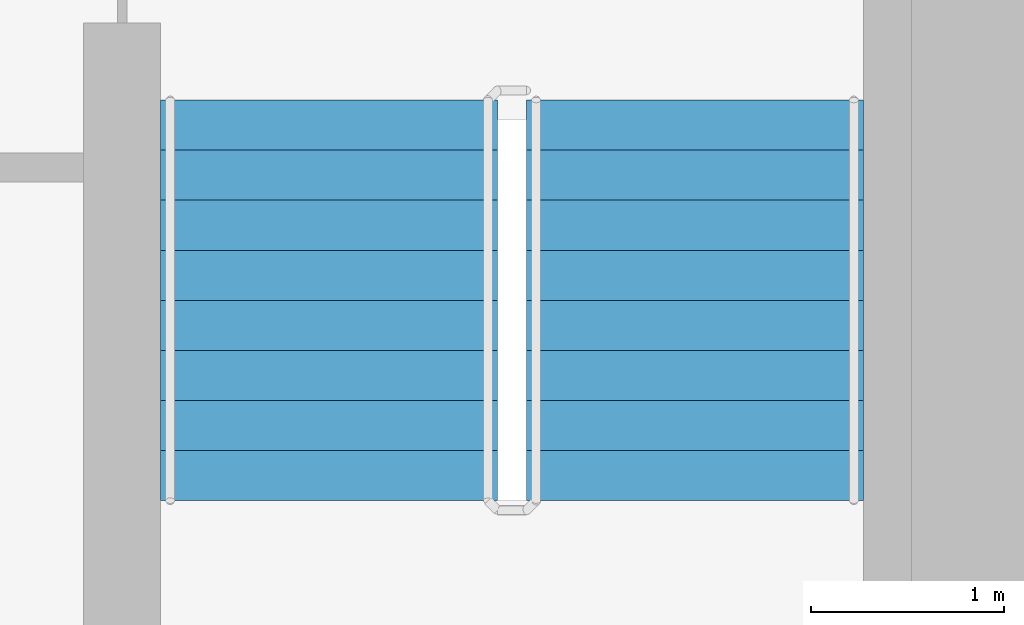
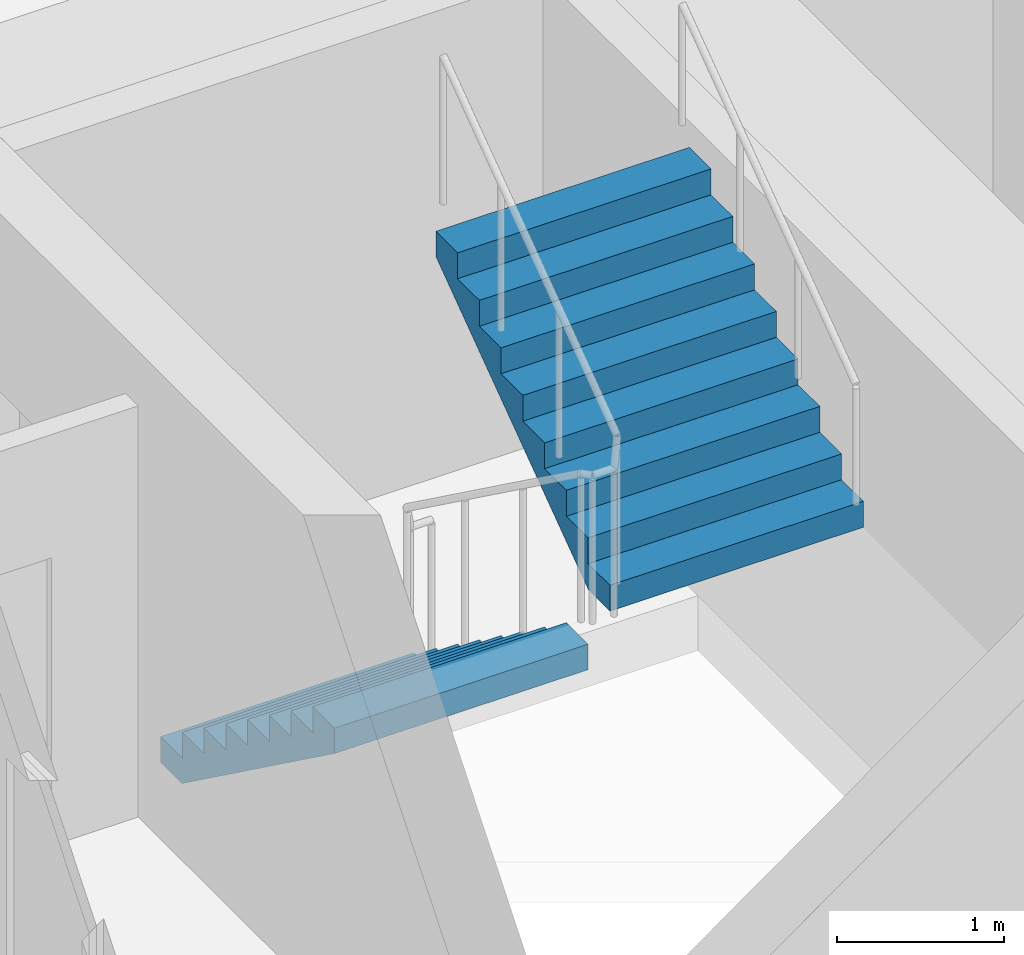
# One storey, part 18 of 21: 2 stair flights, 1 element without a shape of its own.
"""IFC4 building model written with IfcOpenShell, lengths in metres."""

from ifc_helpers import new_model, si_unit, direction, frame, origin, place, context, subcontext, project, spatial, faceted_brep, material, type_object, element, aggregate, save


model = new_model("IFC4")

# Units and contexts
model_context = context("Model", 3, precision=1e-05, world=origin(), true_north=direction((0.0, 1.0)))
body_context = subcontext(model_context, "Body", "Model", "MODEL_VIEW")
ifc_project = project(units=[si_unit("LENGTHUNIT", "METRE"), si_unit("AREAUNIT", "SQUARE_METRE"), si_unit("VOLUMEUNIT", "CUBIC_METRE"), si_unit("PLANEANGLEUNIT", "RADIAN"), si_unit("MASSUNIT", "GRAM", prefix="KILO")], contexts=[model_context])

# Site, building, storey
site_placement = place(None, origin())
site = spatial("IfcSite", under=ifc_project, at=site_placement, CompositionType="ELEMENT")
building_placement = place(site_placement, origin())
building = spatial("IfcBuilding", under=site, at=building_placement, Name="Ipe Terrace Towers", CompositionType="ELEMENT")
storey_placement = place(building_placement, frame((0.0, 0.0, 97.0)))
storey = spatial("IfcBuildingStorey", under=building, at=storey_placement, Name="L26", CompositionType="ELEMENT", Elevation=97.0)

# Stair, stair flights
ifc_material_1 = material(Name="Concrete C30/37", Category="concrete")
stair_type = type_object("IfcStairType", Name="Protected exit stair", PredefinedType="HALF_TURN_STAIR", material=ifc_material_1)
stair_placement = place(storey_placement, origin())
stair = element("IfcStair", 1, at=stair_placement, inside=storey, type_object=stair_type, Name="L26 Exit stair T2-C2", PredefinedType="HALF_TURN_STAIR")
ifc_material_2 = material(Name="Concrete C30/37", Category="concrete")
stair_flight_type = type_object("IfcStairFlightType", Name="Exit stair flight 1750", PredefinedType="STRAIGHT", material=ifc_material_2)
stair_flight_1_placement = place(storey_placement, frame((38.77490234375, -9.699951171875, 0.0), z_axis=(0.0, 0.0, 1.0), x_axis=(0.0, -1.0, 0.0)))
stair_flight_1 = element("IfcStairFlight", 2, at=stair_flight_1_placement, type_object=stair_flight_type, Name="T2-ST2 flight 1", NumberOfRisers=9, NumberOfTreads=8, PredefinedType="STRAIGHT", RiserHeight=0.188888889, TreadLength=0.26, context=body_context, shape_type="Brep", body=[
    faceted_brep([(0.255126953125, -0.875, 0.0), (2.080078125, -0.875, 1.325927734375), (2.080078125, -0.875, 1.51123046875), (1.820068359375, -0.875, 1.51123046875), (1.820068359375, -0.875, 1.322265625), (1.56005859375, -0.875, 1.322265625), (1.56005859375, -0.875, 1.13330078125), (1.300048828125, -0.875, 1.13330078125), (1.300048828125, -0.875, 0.9443359375), (1.0400390625, -0.875, 0.9443359375), (1.0400390625, -0.875, 0.755615234375), (0.780029296875, -0.875, 0.755615234375), (0.780029296875, -0.875, 0.566650390625), (0.52001953125, -0.875, 0.566650390625), (0.52001953125, -0.875, 0.377685546875), (0.260009765625, -0.875, 0.377685546875), (0.260009765625, -0.875, 0.18896484375), (0.0, -0.875, 0.18896484375), (0.0, -0.875, 0.0), (0.0, 0.875, 0.0), (0.0, 0.875, 0.18896484375), (0.260009765625, 0.875, 0.18896484375), (0.260009765625, 0.875, 0.377685546875), (0.52001953125, 0.875, 0.377685546875), (0.52001953125, 0.875, 0.566650390625), (0.780029296875, 0.875, 0.566650390625), (0.780029296875, 0.875, 0.755615234375), (1.0400390625, 0.875, 0.755615234375), (1.0400390625, 0.875, 0.9443359375), (1.300048828125, 0.875, 0.9443359375), (1.300048828125, 0.875, 1.13330078125), (1.56005859375, 0.875, 1.13330078125), (1.56005859375, 0.875, 1.322265625), (1.820068359375, 0.875, 1.322265625), (1.820068359375, 0.875, 1.51123046875), (2.080078125, 0.875, 1.51123046875), (2.080078125, 0.875, 1.325927734375), (0.255126953125, 0.875, 0.0), (0.0, -0.300048828125, 0.18896484375), (0.0, -0.1201171875, 0.18896484375), (0.0, -0.06005859375, 0.18896484375), (0.0, -0.030029296875, 0.18896484375), (0.0, -0.010009765625, 0.18896484375), (0.0, 0.0, 0.18896484375), (0.0, 0.010009765625, 0.18896484375), (0.0, 0.030029296875, 0.18896484375), (0.0, 0.06005859375, 0.18896484375), (0.0, 0.1201171875, 0.18896484375), (0.0, 0.300048828125, 0.18896484375), (0.0, 0.300048828125, 0.0), (0.0, 0.1201171875, 0.0), (0.0, 0.06005859375, 0.0), (0.0, 0.030029296875, 0.0), (0.0, 0.010009765625, 0.0), (0.0, 0.0, 0.0), (0.0, -0.010009765625, 0.0), (0.0, -0.030029296875, 0.0), (0.0, -0.06005859375, 0.0), (0.0, -0.1201171875, 0.0), (0.0, -0.300048828125, 0.0), (0.260009765625, -0.300048828125, 0.18896484375), (0.260009765625, -0.1201171875, 0.18896484375), (0.260009765625, -0.06005859375, 0.18896484375), (0.260009765625, -0.030029296875, 0.18896484375), (0.260009765625, -0.010009765625, 0.18896484375), (0.260009765625, 0.0, 0.18896484375), (0.260009765625, 0.010009765625, 0.18896484375), (0.260009765625, 0.030029296875, 0.18896484375), (0.260009765625, 0.06005859375, 0.18896484375), (0.260009765625, 0.1201171875, 0.18896484375), (0.260009765625, 0.300048828125, 0.18896484375), (0.260009765625, -0.300048828125, 0.377685546875), (0.260009765625, -0.1201171875, 0.377685546875), (0.260009765625, -0.06005859375, 0.377685546875), (0.260009765625, -0.030029296875, 0.377685546875), (0.260009765625, -0.010009765625, 0.377685546875), (0.260009765625, 0.0, 0.377685546875), (0.260009765625, 0.010009765625, 0.377685546875), (0.260009765625, 0.030029296875, 0.377685546875), (0.260009765625, 0.06005859375, 0.377685546875), (0.260009765625, 0.1201171875, 0.377685546875), (0.260009765625, 0.300048828125, 0.377685546875), (0.52001953125, -0.300048828125, 0.377685546875), (0.52001953125, -0.1201171875, 0.377685546875), (0.52001953125, -0.06005859375, 0.377685546875), (0.52001953125, -0.030029296875, 0.377685546875), (0.52001953125, -0.010009765625, 0.377685546875), (0.52001953125, 0.0, 0.377685546875), (0.52001953125, 0.010009765625, 0.377685546875), (0.52001953125, 0.030029296875, 0.377685546875), (0.52001953125, 0.06005859375, 0.377685546875), (0.52001953125, 0.1201171875, 0.377685546875), (0.52001953125, 0.300048828125, 0.377685546875), (0.52001953125, -0.300048828125, 0.566650390625), (0.52001953125, -0.1201171875, 0.566650390625), (0.52001953125, -0.06005859375, 0.566650390625), (0.52001953125, -0.030029296875, 0.566650390625), (0.52001953125, -0.010009765625, 0.566650390625), (0.52001953125, 0.0, 0.566650390625), (0.52001953125, 0.010009765625, 0.566650390625), (0.52001953125, 0.030029296875, 0.566650390625), (0.52001953125, 0.06005859375, 0.566650390625), (0.52001953125, 0.1201171875, 0.566650390625), (0.52001953125, 0.300048828125, 0.566650390625), (0.780029296875, -0.300048828125, 0.566650390625), (0.780029296875, -0.1201171875, 0.566650390625), (0.780029296875, -0.06005859375, 0.566650390625), (0.780029296875, -0.030029296875, 0.566650390625), (0.780029296875, -0.010009765625, 0.566650390625), (0.780029296875, 0.0, 0.566650390625), (0.780029296875, 0.010009765625, 0.566650390625), (0.780029296875, 0.030029296875, 0.566650390625), (0.780029296875, 0.06005859375, 0.566650390625), (0.780029296875, 0.1201171875, 0.566650390625), (0.780029296875, 0.300048828125, 0.566650390625), (0.780029296875, -0.300048828125, 0.755615234375), (0.780029296875, -0.1201171875, 0.755615234375), (0.780029296875, -0.06005859375, 0.755615234375), (0.780029296875, -0.030029296875, 0.755615234375), (0.780029296875, -0.010009765625, 0.755615234375), (0.780029296875, 0.0, 0.755615234375), (0.780029296875, 0.010009765625, 0.755615234375), (0.780029296875, 0.030029296875, 0.755615234375), (0.780029296875, 0.06005859375, 0.755615234375), (0.780029296875, 0.1201171875, 0.755615234375), (0.780029296875, 0.300048828125, 0.755615234375), (1.0400390625, -0.300048828125, 0.755615234375), (1.0400390625, -0.1201171875, 0.755615234375), (1.0400390625, -0.06005859375, 0.755615234375), (1.0400390625, -0.030029296875, 0.755615234375), (1.0400390625, -0.010009765625, 0.755615234375), (1.0400390625, 0.0, 0.755615234375), (1.0400390625, 0.010009765625, 0.755615234375), (1.0400390625, 0.030029296875, 0.755615234375), (1.0400390625, 0.06005859375, 0.755615234375), (1.0400390625, 0.1201171875, 0.755615234375), (1.0400390625, 0.300048828125, 0.755615234375), (1.0400390625, -0.300048828125, 0.9443359375), (1.0400390625, -0.1201171875, 0.9443359375), (1.0400390625, -0.06005859375, 0.9443359375), (1.0400390625, -0.030029296875, 0.9443359375), (1.0400390625, -0.010009765625, 0.9443359375), (1.0400390625, 0.0, 0.9443359375), (1.0400390625, 0.010009765625, 0.9443359375), (1.0400390625, 0.030029296875, 0.9443359375), (1.0400390625, 0.06005859375, 0.9443359375), (1.0400390625, 0.1201171875, 0.9443359375), (1.0400390625, 0.300048828125, 0.9443359375), (1.300048828125, -0.300048828125, 0.9443359375), (1.300048828125, -0.1201171875, 0.9443359375), (1.300048828125, -0.06005859375, 0.9443359375), (1.300048828125, -0.030029296875, 0.9443359375), (1.300048828125, -0.010009765625, 0.9443359375), (1.300048828125, 0.0, 0.9443359375), (1.300048828125, 0.010009765625, 0.9443359375), (1.300048828125, 0.030029296875, 0.9443359375), (1.300048828125, 0.06005859375, 0.9443359375), (1.300048828125, 0.1201171875, 0.9443359375), (1.300048828125, 0.300048828125, 0.9443359375), (1.300048828125, -0.300048828125, 1.13330078125), (1.300048828125, -0.1201171875, 1.13330078125), (1.300048828125, -0.06005859375, 1.13330078125), (1.300048828125, -0.030029296875, 1.13330078125), (1.300048828125, -0.010009765625, 1.13330078125), (1.300048828125, 0.0, 1.13330078125), (1.300048828125, 0.010009765625, 1.13330078125), (1.300048828125, 0.030029296875, 1.13330078125), (1.300048828125, 0.06005859375, 1.13330078125), (1.300048828125, 0.1201171875, 1.13330078125), (1.300048828125, 0.300048828125, 1.13330078125), (1.56005859375, -0.300048828125, 1.13330078125), (1.56005859375, -0.1201171875, 1.13330078125), (1.56005859375, -0.06005859375, 1.13330078125), (1.56005859375, -0.030029296875, 1.13330078125), (1.56005859375, -0.010009765625, 1.13330078125), (1.56005859375, 0.0, 1.13330078125), (1.56005859375, 0.010009765625, 1.13330078125), (1.56005859375, 0.030029296875, 1.13330078125), (1.56005859375, 0.06005859375, 1.13330078125), (1.56005859375, 0.1201171875, 1.13330078125), (1.56005859375, 0.300048828125, 1.13330078125), (1.56005859375, -0.300048828125, 1.322265625), (1.56005859375, -0.1201171875, 1.322265625), (1.56005859375, -0.06005859375, 1.322265625), (1.56005859375, -0.030029296875, 1.322265625), (1.56005859375, -0.010009765625, 1.322265625), (1.56005859375, 0.0, 1.322265625), (1.56005859375, 0.010009765625, 1.322265625), (1.56005859375, 0.030029296875, 1.322265625), (1.56005859375, 0.06005859375, 1.322265625), (1.56005859375, 0.1201171875, 1.322265625), (1.56005859375, 0.300048828125, 1.322265625), (1.820068359375, -0.300048828125, 1.322265625), (1.820068359375, -0.1201171875, 1.322265625), (1.820068359375, -0.06005859375, 1.322265625), (1.820068359375, -0.030029296875, 1.322265625), (1.820068359375, -0.010009765625, 1.322265625), (1.820068359375, 0.0, 1.322265625), (1.820068359375, 0.010009765625, 1.322265625), (1.820068359375, 0.030029296875, 1.322265625), (1.820068359375, 0.06005859375, 1.322265625), (1.820068359375, 0.1201171875, 1.322265625), (1.820068359375, 0.300048828125, 1.322265625), (1.820068359375, -0.300048828125, 1.51123046875), (1.820068359375, -0.1201171875, 1.51123046875), (1.820068359375, -0.06005859375, 1.51123046875), (1.820068359375, -0.030029296875, 1.51123046875), (1.820068359375, -0.010009765625, 1.51123046875), (1.820068359375, 0.0, 1.51123046875), (1.820068359375, 0.010009765625, 1.51123046875), (1.820068359375, 0.030029296875, 1.51123046875), (1.820068359375, 0.06005859375, 1.51123046875), (1.820068359375, 0.1201171875, 1.51123046875), (1.820068359375, 0.300048828125, 1.51123046875), (2.080078125, -0.300048828125, 1.51123046875), (2.080078125, -0.1201171875, 1.51123046875), (2.080078125, -0.06005859375, 1.51123046875), (2.080078125, -0.030029296875, 1.51123046875), (2.080078125, -0.010009765625, 1.51123046875), (2.080078125, 0.0, 1.51123046875), (2.080078125, 0.010009765625, 1.51123046875), (2.080078125, 0.030029296875, 1.51123046875), (2.080078125, 0.06005859375, 1.51123046875), (2.080078125, 0.1201171875, 1.51123046875), (2.080078125, 0.300048828125, 1.51123046875), (2.080078125, -0.300048828125, 1.325927734375), (2.080078125, -0.1201171875, 1.325927734375), (2.080078125, -0.06005859375, 1.325927734375), (2.080078125, -0.030029296875, 1.325927734375), (2.080078125, -0.010009765625, 1.325927734375), (2.080078125, 0.0, 1.325927734375), (2.080078125, 0.010009765625, 1.325927734375), (2.080078125, 0.030029296875, 1.325927734375), (2.080078125, 0.06005859375, 1.325927734375), (2.080078125, 0.1201171875, 1.325927734375), (2.080078125, 0.300048828125, 1.325927734375), (0.255126953125, -0.300048828125, 0.0), (0.255126953125, -0.1201171875, 0.0), (0.255126953125, -0.06005859375, 0.0), (0.255126953125, -0.030029296875, 0.0), (0.255126953125, -0.010009765625, 0.0), (0.255126953125, 0.0, 0.0), (0.255126953125, 0.010009765625, 0.0), (0.255126953125, 0.030029296875, 0.0), (0.255126953125, 0.06005859375, 0.0), (0.255126953125, 0.1201171875, 0.0), (0.255126953125, 0.300048828125, 0.0)], [[[0, 1, 2, 3, 4, 5, 6, 7, 8, 9, 10, 11, 12, 13, 14, 15, 16, 17, 18]], [[19, 20, 21, 22, 23, 24, 25, 26, 27, 28, 29, 30, 31, 32, 33, 34, 35, 36, 37]], [[17, 38, 39, 40, 41, 42, 43, 44, 45, 46, 47, 48, 20, 19, 49, 50, 51, 52, 53, 54, 55, 56, 57, 58, 59, 18]], [[16, 60, 61, 62, 63, 64, 65, 66, 67, 68, 69, 70, 21, 20, 48, 47, 46, 45, 44, 43, 42, 41, 40, 39, 38, 17]], [[15, 71, 72, 73, 74, 75, 76, 77, 78, 79, 80, 81, 22, 21, 70, 69, 68, 67, 66, 65, 64, 63, 62, 61, 60, 16]], [[14, 82, 83, 84, 85, 86, 87, 88, 89, 90, 91, 92, 23, 22, 81, 80, 79, 78, 77, 76, 75, 74, 73, 72, 71, 15]], [[13, 93, 94, 95, 96, 97, 98, 99, 100, 101, 102, 103, 24, 23, 92, 91, 90, 89, 88, 87, 86, 85, 84, 83, 82, 14]], [[12, 104, 105, 106, 107, 108, 109, 110, 111, 112, 113, 114, 25, 24, 103, 102, 101, 100, 99, 98, 97, 96, 95, 94, 93, 13]], [[11, 115, 116, 117, 118, 119, 120, 121, 122, 123, 124, 125, 26, 25, 114, 113, 112, 111, 110, 109, 108, 107, 106, 105, 104, 12]], [[10, 126, 127, 128, 129, 130, 131, 132, 133, 134, 135, 136, 27, 26, 125, 124, 123, 122, 121, 120, 119, 118, 117, 116, 115, 11]], [[9, 137, 138, 139, 140, 141, 142, 143, 144, 145, 146, 147, 28, 27, 136, 135, 134, 133, 132, 131, 130, 129, 128, 127, 126, 10]], [[8, 148, 149, 150, 151, 152, 153, 154, 155, 156, 157, 158, 29, 28, 147, 146, 145, 144, 143, 142, 141, 140, 139, 138, 137, 9]], [[7, 159, 160, 161, 162, 163, 164, 165, 166, 167, 168, 169, 30, 29, 158, 157, 156, 155, 154, 153, 152, 151, 150, 149, 148, 8]], [[6, 170, 171, 172, 173, 174, 175, 176, 177, 178, 179, 180, 31, 30, 169, 168, 167, 166, 165, 164, 163, 162, 161, 160, 159, 7]], [[5, 181, 182, 183, 184, 185, 186, 187, 188, 189, 190, 191, 32, 31, 180, 179, 178, 177, 176, 175, 174, 173, 172, 171, 170, 6]], [[4, 192, 193, 194, 195, 196, 197, 198, 199, 200, 201, 202, 33, 32, 191, 190, 189, 188, 187, 186, 185, 184, 183, 182, 181, 5]], [[3, 203, 204, 205, 206, 207, 208, 209, 210, 211, 212, 213, 34, 33, 202, 201, 200, 199, 198, 197, 196, 195, 194, 193, 192, 4]], [[2, 214, 215, 216, 217, 218, 219, 220, 221, 222, 223, 224, 35, 34, 213, 212, 211, 210, 209, 208, 207, 206, 205, 204, 203, 3]], [[1, 225, 226, 227, 228, 229, 230, 231, 232, 233, 234, 235, 36, 35, 224, 223, 222, 221, 220, 219, 218, 217, 216, 215, 214, 2]], [[0, 236, 237, 238, 239, 240, 241, 242, 243, 244, 245, 246, 37, 36, 235, 234, 233, 232, 231, 230, 229, 228, 227, 226, 225, 1]], [[18, 59, 58, 57, 56, 55, 54, 53, 52, 51, 50, 49, 19, 37, 246, 245, 244, 243, 242, 241, 240, 239, 238, 237, 236, 0]]]),
])
stair_flight_2_placement = place(storey_placement, frame((40.675048828125, -11.780029296875, 1.699951171875), z_axis=(0.0, 0.0, 1.0), x_axis=(0.0, 1.0, 0.0)))
stair_flight_2 = element("IfcStairFlight", 3, at=stair_flight_2_placement, type_object=stair_flight_type, Name="T2-ST2 flight 2", NumberOfRisers=9, NumberOfTreads=8, PredefinedType="STRAIGHT", RiserHeight=0.188888889, TreadLength=0.26, context=body_context, shape_type="Brep", body=[
    faceted_brep([(0.255126953125, -0.875, 0.0), (2.080078125, -0.875, 1.325927734375), (2.080078125, -0.875, 1.51123046875), (1.820068359375, -0.875, 1.51123046875), (1.820068359375, -0.875, 1.322265625), (1.56005859375, -0.875, 1.322265625), (1.56005859375, -0.875, 1.13330078125), (1.300048828125, -0.875, 1.13330078125), (1.300048828125, -0.875, 0.9443359375), (1.0400390625, -0.875, 0.9443359375), (1.0400390625, -0.875, 0.755615234375), (0.780029296875, -0.875, 0.755615234375), (0.780029296875, -0.875, 0.566650390625), (0.52001953125, -0.875, 0.566650390625), (0.52001953125, -0.875, 0.377685546875), (0.260009765625, -0.875, 0.377685546875), (0.260009765625, -0.875, 0.18896484375), (0.0, -0.875, 0.18896484375), (0.0, -0.875, 0.0), (0.0, 0.875, 0.0), (0.0, 0.875, 0.18896484375), (0.260009765625, 0.875, 0.18896484375), (0.260009765625, 0.875, 0.377685546875), (0.52001953125, 0.875, 0.377685546875), (0.52001953125, 0.875, 0.566650390625), (0.780029296875, 0.875, 0.566650390625), (0.780029296875, 0.875, 0.755615234375), (1.0400390625, 0.875, 0.755615234375), (1.0400390625, 0.875, 0.9443359375), (1.300048828125, 0.875, 0.9443359375), (1.300048828125, 0.875, 1.13330078125), (1.56005859375, 0.875, 1.13330078125), (1.56005859375, 0.875, 1.322265625), (1.820068359375, 0.875, 1.322265625), (1.820068359375, 0.875, 1.51123046875), (2.080078125, 0.875, 1.51123046875), (2.080078125, 0.875, 1.325927734375), (0.255126953125, 0.875, 0.0), (0.0, -0.300048828125, 0.18896484375), (0.0, -0.1201171875, 0.18896484375), (0.0, -0.06005859375, 0.18896484375), (0.0, -0.030029296875, 0.18896484375), (0.0, -0.010009765625, 0.18896484375), (0.0, 0.0, 0.18896484375), (0.0, 0.010009765625, 0.18896484375), (0.0, 0.030029296875, 0.18896484375), (0.0, 0.06005859375, 0.18896484375), (0.0, 0.1201171875, 0.18896484375), (0.0, 0.300048828125, 0.18896484375), (0.0, 0.300048828125, 0.0), (0.0, 0.1201171875, 0.0), (0.0, 0.06005859375, 0.0), (0.0, 0.030029296875, 0.0), (0.0, 0.010009765625, 0.0), (0.0, 0.0, 0.0), (0.0, -0.010009765625, 0.0), (0.0, -0.030029296875, 0.0), (0.0, -0.06005859375, 0.0), (0.0, -0.1201171875, 0.0), (0.0, -0.300048828125, 0.0), (0.260009765625, -0.300048828125, 0.18896484375), (0.260009765625, -0.1201171875, 0.18896484375), (0.260009765625, -0.06005859375, 0.18896484375), (0.260009765625, -0.030029296875, 0.18896484375), (0.260009765625, -0.010009765625, 0.18896484375), (0.260009765625, 0.0, 0.18896484375), (0.260009765625, 0.010009765625, 0.18896484375), (0.260009765625, 0.030029296875, 0.18896484375), (0.260009765625, 0.06005859375, 0.18896484375), (0.260009765625, 0.1201171875, 0.18896484375), (0.260009765625, 0.300048828125, 0.18896484375), (0.260009765625, -0.300048828125, 0.377685546875), (0.260009765625, -0.1201171875, 0.377685546875), (0.260009765625, -0.06005859375, 0.377685546875), (0.260009765625, -0.030029296875, 0.377685546875), (0.260009765625, -0.010009765625, 0.377685546875), (0.260009765625, 0.0, 0.377685546875), (0.260009765625, 0.010009765625, 0.377685546875), (0.260009765625, 0.030029296875, 0.377685546875), (0.260009765625, 0.06005859375, 0.377685546875), (0.260009765625, 0.1201171875, 0.377685546875), (0.260009765625, 0.300048828125, 0.377685546875), (0.52001953125, -0.300048828125, 0.377685546875), (0.52001953125, -0.1201171875, 0.377685546875), (0.52001953125, -0.06005859375, 0.377685546875), (0.52001953125, -0.030029296875, 0.377685546875), (0.52001953125, -0.010009765625, 0.377685546875), (0.52001953125, 0.0, 0.377685546875), (0.52001953125, 0.010009765625, 0.377685546875), (0.52001953125, 0.030029296875, 0.377685546875), (0.52001953125, 0.06005859375, 0.377685546875), (0.52001953125, 0.1201171875, 0.377685546875), (0.52001953125, 0.300048828125, 0.377685546875), (0.52001953125, -0.300048828125, 0.566650390625), (0.52001953125, -0.1201171875, 0.566650390625), (0.52001953125, -0.06005859375, 0.566650390625), (0.52001953125, -0.030029296875, 0.566650390625), (0.52001953125, -0.010009765625, 0.566650390625), (0.52001953125, 0.0, 0.566650390625), (0.52001953125, 0.010009765625, 0.566650390625), (0.52001953125, 0.030029296875, 0.566650390625), (0.52001953125, 0.06005859375, 0.566650390625), (0.52001953125, 0.1201171875, 0.566650390625), (0.52001953125, 0.300048828125, 0.566650390625), (0.780029296875, -0.300048828125, 0.566650390625), (0.780029296875, -0.1201171875, 0.566650390625), (0.780029296875, -0.06005859375, 0.566650390625), (0.780029296875, -0.030029296875, 0.566650390625), (0.780029296875, -0.010009765625, 0.566650390625), (0.780029296875, 0.0, 0.566650390625), (0.780029296875, 0.010009765625, 0.566650390625), (0.780029296875, 0.030029296875, 0.566650390625), (0.780029296875, 0.06005859375, 0.566650390625), (0.780029296875, 0.1201171875, 0.566650390625), (0.780029296875, 0.300048828125, 0.566650390625), (0.780029296875, -0.300048828125, 0.755615234375), (0.780029296875, -0.1201171875, 0.755615234375), (0.780029296875, -0.06005859375, 0.755615234375), (0.780029296875, -0.030029296875, 0.755615234375), (0.780029296875, -0.010009765625, 0.755615234375), (0.780029296875, 0.0, 0.755615234375), (0.780029296875, 0.010009765625, 0.755615234375), (0.780029296875, 0.030029296875, 0.755615234375), (0.780029296875, 0.06005859375, 0.755615234375), (0.780029296875, 0.1201171875, 0.755615234375), (0.780029296875, 0.300048828125, 0.755615234375), (1.0400390625, -0.300048828125, 0.755615234375), (1.0400390625, -0.1201171875, 0.755615234375), (1.0400390625, -0.06005859375, 0.755615234375), (1.0400390625, -0.030029296875, 0.755615234375), (1.0400390625, -0.010009765625, 0.755615234375), (1.0400390625, 0.0, 0.755615234375), (1.0400390625, 0.010009765625, 0.755615234375), (1.0400390625, 0.030029296875, 0.755615234375), (1.0400390625, 0.06005859375, 0.755615234375), (1.0400390625, 0.1201171875, 0.755615234375), (1.0400390625, 0.300048828125, 0.755615234375), (1.0400390625, -0.300048828125, 0.9443359375), (1.0400390625, -0.1201171875, 0.9443359375), (1.0400390625, -0.06005859375, 0.9443359375), (1.0400390625, -0.030029296875, 0.9443359375), (1.0400390625, -0.010009765625, 0.9443359375), (1.0400390625, 0.0, 0.9443359375), (1.0400390625, 0.010009765625, 0.9443359375), (1.0400390625, 0.030029296875, 0.9443359375), (1.0400390625, 0.06005859375, 0.9443359375), (1.0400390625, 0.1201171875, 0.9443359375), (1.0400390625, 0.300048828125, 0.9443359375), (1.300048828125, -0.300048828125, 0.9443359375), (1.300048828125, -0.1201171875, 0.9443359375), (1.300048828125, -0.06005859375, 0.9443359375), (1.300048828125, -0.030029296875, 0.9443359375), (1.300048828125, -0.010009765625, 0.9443359375), (1.300048828125, 0.0, 0.9443359375), (1.300048828125, 0.010009765625, 0.9443359375), (1.300048828125, 0.030029296875, 0.9443359375), (1.300048828125, 0.06005859375, 0.9443359375), (1.300048828125, 0.1201171875, 0.9443359375), (1.300048828125, 0.300048828125, 0.9443359375), (1.300048828125, -0.300048828125, 1.13330078125), (1.300048828125, -0.1201171875, 1.13330078125), (1.300048828125, -0.06005859375, 1.13330078125), (1.300048828125, -0.030029296875, 1.13330078125), (1.300048828125, -0.010009765625, 1.13330078125), (1.300048828125, 0.0, 1.13330078125), (1.300048828125, 0.010009765625, 1.13330078125), (1.300048828125, 0.030029296875, 1.13330078125), (1.300048828125, 0.06005859375, 1.13330078125), (1.300048828125, 0.1201171875, 1.13330078125), (1.300048828125, 0.300048828125, 1.13330078125), (1.56005859375, -0.300048828125, 1.13330078125), (1.56005859375, -0.1201171875, 1.13330078125), (1.56005859375, -0.06005859375, 1.13330078125), (1.56005859375, -0.030029296875, 1.13330078125), (1.56005859375, -0.010009765625, 1.13330078125), (1.56005859375, 0.0, 1.13330078125), (1.56005859375, 0.010009765625, 1.13330078125), (1.56005859375, 0.030029296875, 1.13330078125), (1.56005859375, 0.06005859375, 1.13330078125), (1.56005859375, 0.1201171875, 1.13330078125), (1.56005859375, 0.300048828125, 1.13330078125), (1.56005859375, -0.300048828125, 1.322265625), (1.56005859375, -0.1201171875, 1.322265625), (1.56005859375, -0.06005859375, 1.322265625), (1.56005859375, -0.030029296875, 1.322265625), (1.56005859375, -0.010009765625, 1.322265625), (1.56005859375, 0.0, 1.322265625), (1.56005859375, 0.010009765625, 1.322265625), (1.56005859375, 0.030029296875, 1.322265625), (1.56005859375, 0.06005859375, 1.322265625), (1.56005859375, 0.1201171875, 1.322265625), (1.56005859375, 0.300048828125, 1.322265625), (1.820068359375, -0.300048828125, 1.322265625), (1.820068359375, -0.1201171875, 1.322265625), (1.820068359375, -0.06005859375, 1.322265625), (1.820068359375, -0.030029296875, 1.322265625), (1.820068359375, -0.010009765625, 1.322265625), (1.820068359375, 0.0, 1.322265625), (1.820068359375, 0.010009765625, 1.322265625), (1.820068359375, 0.030029296875, 1.322265625), (1.820068359375, 0.06005859375, 1.322265625), (1.820068359375, 0.1201171875, 1.322265625), (1.820068359375, 0.300048828125, 1.322265625), (1.820068359375, -0.300048828125, 1.51123046875), (1.820068359375, -0.1201171875, 1.51123046875), (1.820068359375, -0.06005859375, 1.51123046875), (1.820068359375, -0.030029296875, 1.51123046875), (1.820068359375, -0.010009765625, 1.51123046875), (1.820068359375, 0.0, 1.51123046875), (1.820068359375, 0.010009765625, 1.51123046875), (1.820068359375, 0.030029296875, 1.51123046875), (1.820068359375, 0.06005859375, 1.51123046875), (1.820068359375, 0.1201171875, 1.51123046875), (1.820068359375, 0.300048828125, 1.51123046875), (2.080078125, -0.300048828125, 1.51123046875), (2.080078125, -0.1201171875, 1.51123046875), (2.080078125, -0.06005859375, 1.51123046875), (2.080078125, -0.030029296875, 1.51123046875), (2.080078125, -0.010009765625, 1.51123046875), (2.080078125, 0.0, 1.51123046875), (2.080078125, 0.010009765625, 1.51123046875), (2.080078125, 0.030029296875, 1.51123046875), (2.080078125, 0.06005859375, 1.51123046875), (2.080078125, 0.1201171875, 1.51123046875), (2.080078125, 0.300048828125, 1.51123046875), (2.080078125, -0.300048828125, 1.325927734375), (2.080078125, -0.1201171875, 1.325927734375), (2.080078125, -0.06005859375, 1.325927734375), (2.080078125, -0.030029296875, 1.325927734375), (2.080078125, -0.010009765625, 1.325927734375), (2.080078125, 0.0, 1.325927734375), (2.080078125, 0.010009765625, 1.325927734375), (2.080078125, 0.030029296875, 1.325927734375), (2.080078125, 0.06005859375, 1.325927734375), (2.080078125, 0.1201171875, 1.325927734375), (2.080078125, 0.300048828125, 1.325927734375), (0.255126953125, -0.300048828125, 0.0), (0.255126953125, -0.1201171875, 0.0), (0.255126953125, -0.06005859375, 0.0), (0.255126953125, -0.030029296875, 0.0), (0.255126953125, -0.010009765625, 0.0), (0.255126953125, 0.0, 0.0), (0.255126953125, 0.010009765625, 0.0), (0.255126953125, 0.030029296875, 0.0), (0.255126953125, 0.06005859375, 0.0), (0.255126953125, 0.1201171875, 0.0), (0.255126953125, 0.300048828125, 0.0)], [[[0, 1, 2, 3, 4, 5, 6, 7, 8, 9, 10, 11, 12, 13, 14, 15, 16, 17, 18]], [[19, 20, 21, 22, 23, 24, 25, 26, 27, 28, 29, 30, 31, 32, 33, 34, 35, 36, 37]], [[17, 38, 39, 40, 41, 42, 43, 44, 45, 46, 47, 48, 20, 19, 49, 50, 51, 52, 53, 54, 55, 56, 57, 58, 59, 18]], [[16, 60, 61, 62, 63, 64, 65, 66, 67, 68, 69, 70, 21, 20, 48, 47, 46, 45, 44, 43, 42, 41, 40, 39, 38, 17]], [[15, 71, 72, 73, 74, 75, 76, 77, 78, 79, 80, 81, 22, 21, 70, 69, 68, 67, 66, 65, 64, 63, 62, 61, 60, 16]], [[14, 82, 83, 84, 85, 86, 87, 88, 89, 90, 91, 92, 23, 22, 81, 80, 79, 78, 77, 76, 75, 74, 73, 72, 71, 15]], [[13, 93, 94, 95, 96, 97, 98, 99, 100, 101, 102, 103, 24, 23, 92, 91, 90, 89, 88, 87, 86, 85, 84, 83, 82, 14]], [[12, 104, 105, 106, 107, 108, 109, 110, 111, 112, 113, 114, 25, 24, 103, 102, 101, 100, 99, 98, 97, 96, 95, 94, 93, 13]], [[11, 115, 116, 117, 118, 119, 120, 121, 122, 123, 124, 125, 26, 25, 114, 113, 112, 111, 110, 109, 108, 107, 106, 105, 104, 12]], [[10, 126, 127, 128, 129, 130, 131, 132, 133, 134, 135, 136, 27, 26, 125, 124, 123, 122, 121, 120, 119, 118, 117, 116, 115, 11]], [[9, 137, 138, 139, 140, 141, 142, 143, 144, 145, 146, 147, 28, 27, 136, 135, 134, 133, 132, 131, 130, 129, 128, 127, 126, 10]], [[8, 148, 149, 150, 151, 152, 153, 154, 155, 156, 157, 158, 29, 28, 147, 146, 145, 144, 143, 142, 141, 140, 139, 138, 137, 9]], [[7, 159, 160, 161, 162, 163, 164, 165, 166, 167, 168, 169, 30, 29, 158, 157, 156, 155, 154, 153, 152, 151, 150, 149, 148, 8]], [[6, 170, 171, 172, 173, 174, 175, 176, 177, 178, 179, 180, 31, 30, 169, 168, 167, 166, 165, 164, 163, 162, 161, 160, 159, 7]], [[5, 181, 182, 183, 184, 185, 186, 187, 188, 189, 190, 191, 32, 31, 180, 179, 178, 177, 176, 175, 174, 173, 172, 171, 170, 6]], [[4, 192, 193, 194, 195, 196, 197, 198, 199, 200, 201, 202, 33, 32, 191, 190, 189, 188, 187, 186, 185, 184, 183, 182, 181, 5]], [[3, 203, 204, 205, 206, 207, 208, 209, 210, 211, 212, 213, 34, 33, 202, 201, 200, 199, 198, 197, 196, 195, 194, 193, 192, 4]], [[2, 214, 215, 216, 217, 218, 219, 220, 221, 222, 223, 224, 35, 34, 213, 212, 211, 210, 209, 208, 207, 206, 205, 204, 203, 3]], [[1, 225, 226, 227, 228, 229, 230, 231, 232, 233, 234, 235, 36, 35, 224, 223, 222, 221, 220, 219, 218, 217, 216, 215, 214, 2]], [[0, 236, 237, 238, 239, 240, 241, 242, 243, 244, 245, 246, 37, 36, 235, 234, 233, 232, 231, 230, 229, 228, 227, 226, 225, 1]], [[18, 59, 58, 57, 56, 55, 54, 53, 52, 51, 50, 49, 19, 37, 246, 245, 244, 243, 242, 241, 240, 239, 238, 237, 236, 0]]]),
])
aggregate(stair, [stair_flight_1, stair_flight_2])

save(model, "model.ifc")
